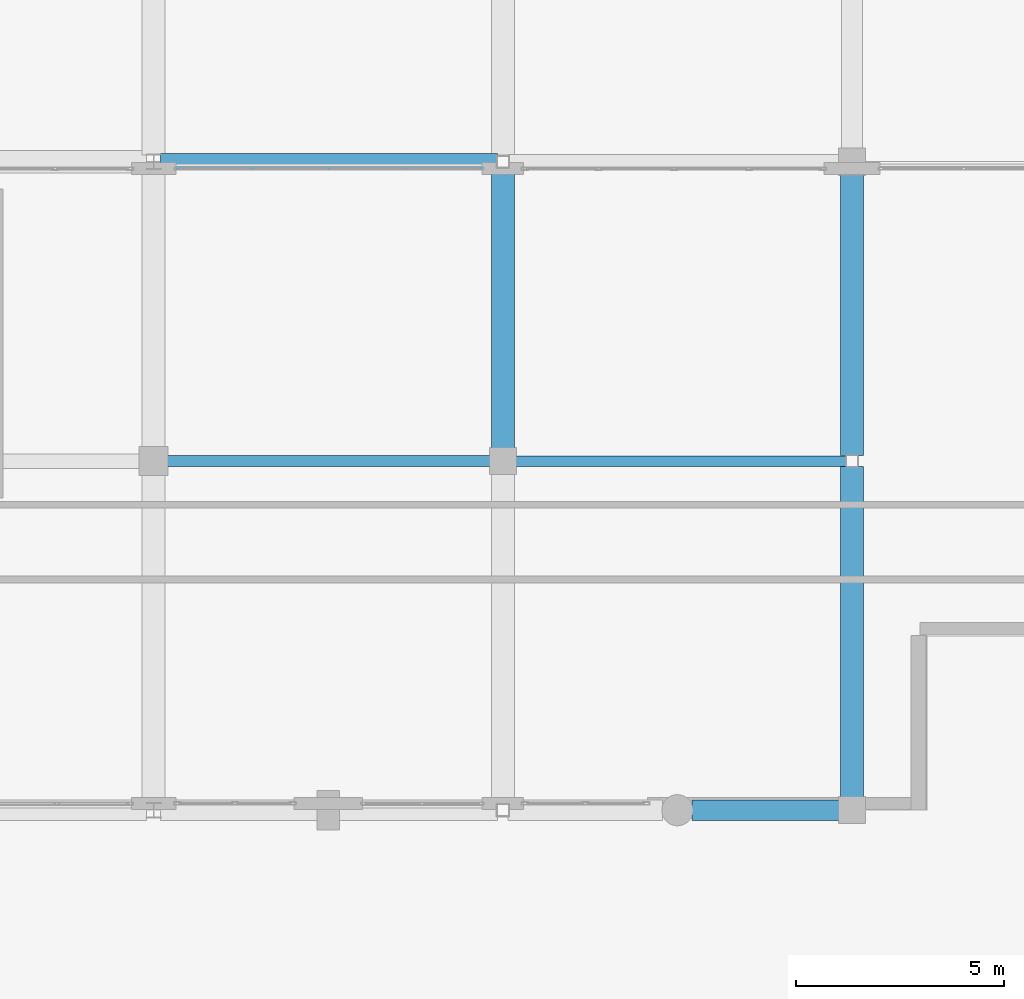
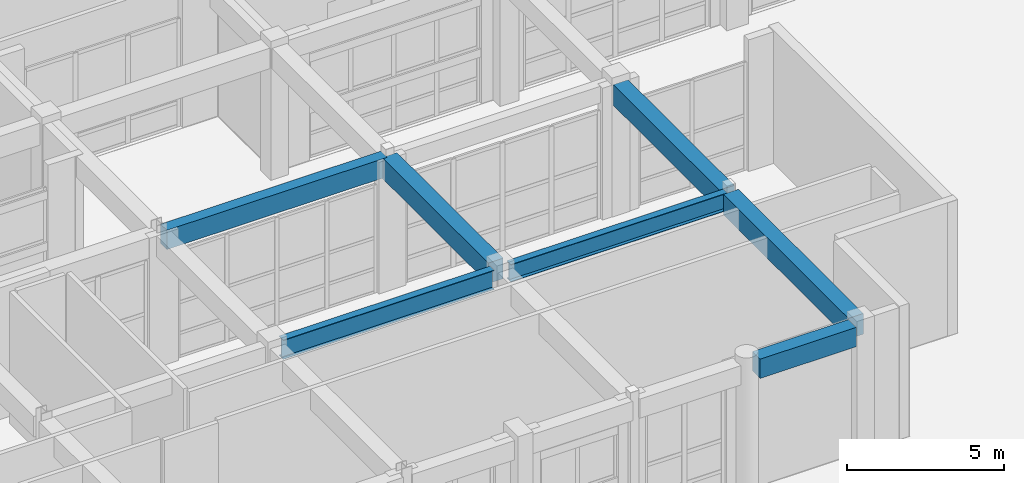
# One storey, part 74 of 148: 7 beams.
"""IFC4 building model written with IfcOpenShell, lengths in metres."""

from ifc_helpers import new_model, si_unit, direction, frame, origin, origin_2d, place, context, subcontext, project, spatial, rectangle, i_section, extrude, material, material_profile, profile_set, type_object, element, save


model = new_model("IFC4")

# Units and contexts
model_context = context("Model", 3, precision=1e-05, world=origin(), true_north=direction((0.0, 1.0)))
body_context = subcontext(model_context, "Body", "Model", "MODEL_VIEW")
ifc_project = project(units=[si_unit("LENGTHUNIT", "METRE"), si_unit("AREAUNIT", "SQUARE_METRE"), si_unit("VOLUMEUNIT", "CUBIC_METRE"), si_unit("PLANEANGLEUNIT", "RADIAN"), si_unit("MASSUNIT", "GRAM", prefix="KILO")], contexts=[model_context])

# Site, building, storey
site_placement = place(None, origin())
site = spatial("IfcSite", under=ifc_project, at=site_placement, CompositionType="ELEMENT")
building_placement = place(site_placement, origin())
building = spatial("IfcBuilding", under=site, at=building_placement, Name="Quendrovan Civic Courthouse", CompositionType="ELEMENT")
storey_placement = place(building_placement, origin())
storey = spatial("IfcBuildingStorey", under=building, at=storey_placement, Name="L01", CompositionType="ELEMENT", Elevation=0.0)

# Beams
ifc_material_1 = material(Name="Concrete C40/50", Category="concrete")
ifc_material_profile_1 = material_profile(ifc_material_1, rectangle(XDim=0.5, YDim=0.75, at=origin_2d()), Name="RC-BM-500x750")
ifc_profile_set_1 = profile_set([ifc_material_profile_1], Name="Concrete C40/50")
beam_type_1 = type_object("IfcBeamType", Name="BM-RC750", PredefinedType="SPANDREL", material=ifc_profile_set_1)
beam_1_placement = place(storey_placement, frame((105.35498046875, 64.800048828125, 4.7451171875), z_axis=(1.0, 0.0, 0.0), x_axis=(0.0, 1.0, 0.0)))
element("IfcBeam", 1, at=beam_1_placement, inside=storey, type_object=beam_type_1, Name="L01 Girder X0299", PredefinedType="SPANDREL", context=body_context, shape_type="SweptSolid", body=[
    extrude(rectangle(XDim=0.5, YDim=0.75, at=origin_2d()), origin(), (0.0, 0.0, 1.0), 3.5400390625),
])
ifc_material_profile_2 = material_profile(ifc_material_1, rectangle(XDim=0.39990234375, YDim=0.75, at=origin_2d()), Name="RC-BM-400x750")
ifc_profile_set_2 = profile_set([ifc_material_profile_2], Name="Concrete C40/50")
beam_type_2 = type_object("IfcBeamType", Name="BM-RC750B", PredefinedType="BEAM", material=ifc_profile_set_2)
beam_2_placement = place(storey_placement, frame((92.56689453125, 80.39990234375, 4.7451171875), z_axis=(1.0, 0.0, 0.0), x_axis=(0.0, 1.0, 0.0)))
element("IfcBeam", 2, at=beam_2_placement, inside=storey, type_object=beam_type_2, Name="L01 Girder X0314", PredefinedType="BEAM", context=body_context, shape_type="SweptSolid", body=[
    extrude(rectangle(XDim=0.39990234375, YDim=0.75, at=origin_2d()), origin(), (0.0, 0.0, 1.0), 8.10302734375),
])
ifc_material_profile_3 = material_profile(ifc_material_1, rectangle(XDim=0.550048828125, YDim=0.800048828125, at=origin_2d()), Name="RC-BM-550x800")
ifc_profile_set_3 = profile_set([ifc_material_profile_3], Name="Concrete C40/50")
beam_type_3 = type_object("IfcBeamType", Name="BM-RC800", PredefinedType="BEAM", material=ifc_profile_set_3)
beam_3_placement = place(storey_placement, frame((100.800048828125, 73.5048828125, 4.719970703125), z_axis=(0.0, 1.0, 0.0), x_axis=(-1.0, 0.0, 0.0)))
element("IfcBeam", 3, at=beam_3_placement, inside=storey, type_object=beam_type_3, Name="L01 Girder Y0452", PredefinedType="BEAM", context=body_context, shape_type="SweptSolid", body=[
    extrude(rectangle(XDim=0.550048828125, YDim=0.800048828125, at=origin_2d()), origin(), (0.0, 0.0, 1.0), 6.76513671875),
])
beam_4_placement = place(storey_placement, frame((109.199951171875, 65.10498046875, 4.719970703125), z_axis=(0.0, 1.0, 0.0), x_axis=(-1.0, 0.0, 0.0)))
element("IfcBeam", 4, at=beam_4_placement, inside=storey, type_object=beam_type_3, Name="L01 Girder Y0458", PredefinedType="BEAM", context=body_context, shape_type="SweptSolid", body=[
    extrude(rectangle(XDim=0.550048828125, YDim=0.800048828125, at=origin_2d()), origin(), (0.0, 0.0, 1.0), 7.965087890625),
])
beam_5_placement = place(storey_placement, frame((109.199951171875, 73.330078125, 4.719970703125), z_axis=(0.0, 1.0, 0.0), x_axis=(-1.0, 0.0, 0.0)))
element("IfcBeam", 5, at=beam_5_placement, inside=storey, type_object=beam_type_3, Name="L01 Girder Y0459", PredefinedType="BEAM", context=body_context, shape_type="SweptSolid", body=[
    extrude(rectangle(XDim=0.550048828125, YDim=0.800048828125, at=origin_2d()), origin(), (0.0, 0.0, 1.0), 6.764892578125),
])
ifc_material_2 = material(Name="Steel ASTM A992 Grade 50", Category="steel")
ifc_material_profile_4 = material_profile(ifc_material_2, i_section(OverallWidth=0.25390625, OverallDepth=0.68408203125, WebThickness=0.012451171875, FlangeThickness=0.018798828125, at=origin_2d()), Name="W27X94")
ifc_profile_set_4 = profile_set([ifc_material_profile_4], Name="Steel ASTM A992 Grade 50")
beam_type_4 = type_object("IfcBeamType", Name="BM-STL-W27", PredefinedType="BEAM", material=ifc_profile_set_4)
beam_6_placement = place(storey_placement, frame((101.10498046875, 73.199951171875, 4.778076171875), z_axis=(1.0, 0.0, 0.0), x_axis=(0.0, 1.0, 0.0)))
element("IfcBeam", 6, at=beam_6_placement, inside=storey, type_object=beam_type_4, Name="L01 Girder X0307", PredefinedType="BEAM", context=body_context, shape_type="SweptSolid", body=[
    extrude(i_section(OverallWidth=0.25390625, OverallDepth=0.68408203125, WebThickness=0.012451171875, FlangeThickness=0.018798828125, at=origin_2d()), origin(), (0.0, 0.0, 1.0), 7.965087890625),
])
ifc_material_profile_5 = material_profile(ifc_material_2, i_section(OverallWidth=0.26611328125, OverallDepth=0.758056640625, WebThickness=0.013916015625, FlangeThickness=0.019287109375, at=origin_2d()), Name="W30X108")
ifc_profile_set_5 = profile_set([ifc_material_profile_5], Name="Steel ASTM A992 Grade 50")
beam_type_5 = type_object("IfcBeamType", Name="BM-STL-W30", PredefinedType="BEAM", material=ifc_profile_set_5)
beam_7_placement = place(storey_placement, frame((92.72998046875, 73.199951171875, 4.740966796875), z_axis=(1.0, 0.0, 0.0), x_axis=(0.0, 1.0, 0.0)))
element("IfcBeam", 7, at=beam_7_placement, inside=storey, type_object=beam_type_5, Name="L01 Girder X0306", PredefinedType="BEAM", context=body_context, shape_type="SweptSolid", body=[
    extrude(i_section(OverallWidth=0.26611328125, OverallDepth=0.758056640625, WebThickness=0.013916015625, FlangeThickness=0.019287109375, at=origin_2d()), origin(), (0.0, 0.0, 1.0), 7.76513671875),
])

save(model, "model.ifc")
